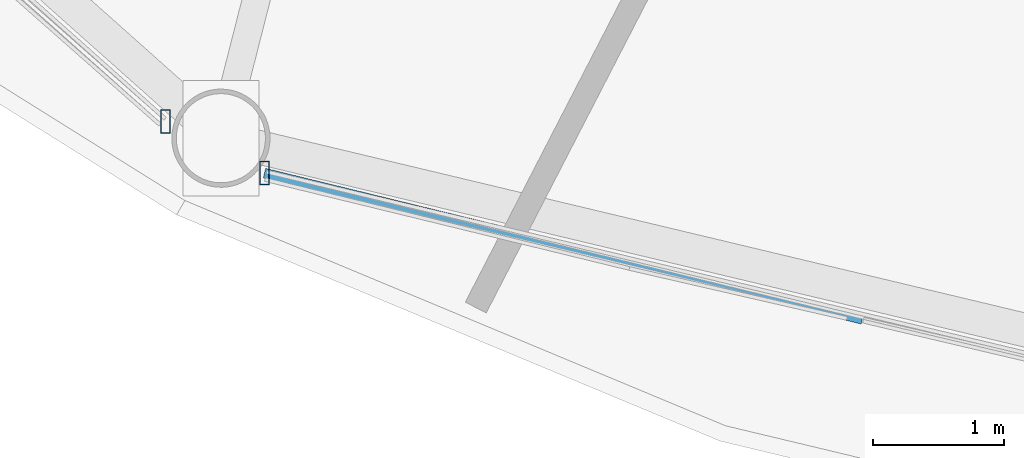
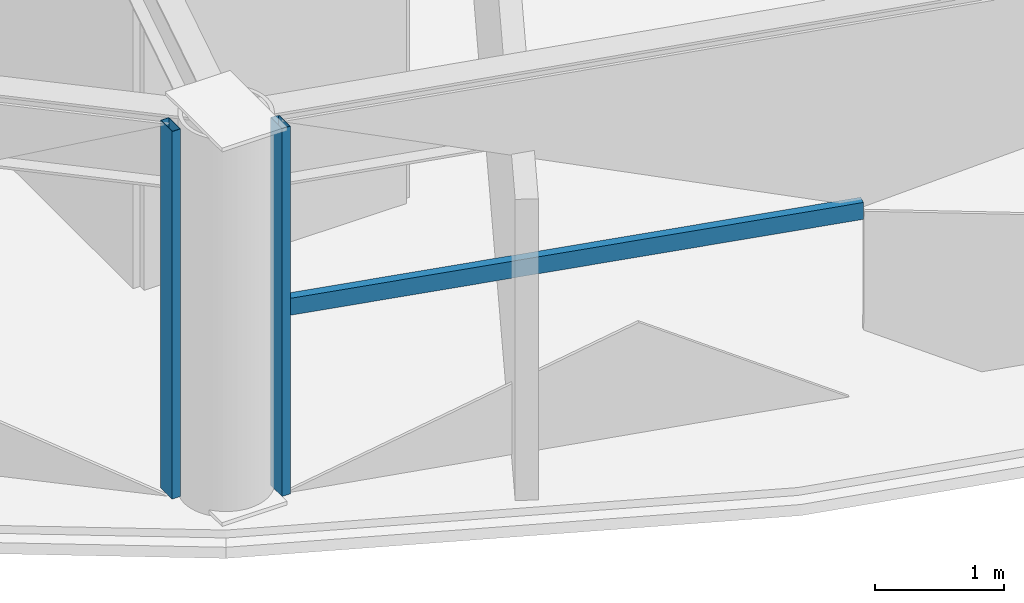
# One storey, part 2 of 32: 3 members, 2 elements without a shape of their own.
"""IFC4 building model written with IfcOpenShell, lengths in metres."""

from ifc_helpers import new_model, si_unit, direction, frame, origin, origin_2d, place, context, subcontext, project, spatial, hollow_rectangle, extrude, material, layer, layer_set, material_profile, profile_set, type_object, element, aggregate, save


model = new_model("IFC4")

# Units and contexts
model_context = context("Model", 3, precision=1e-05, world=origin(), true_north=direction((0.0, 1.0)))
body_context = subcontext(model_context, "Body", "Model", "MODEL_VIEW")
ifc_project = project(units=[si_unit("LENGTHUNIT", "METRE"), si_unit("AREAUNIT", "SQUARE_METRE"), si_unit("VOLUMEUNIT", "CUBIC_METRE"), si_unit("PLANEANGLEUNIT", "RADIAN"), si_unit("MASSUNIT", "GRAM", prefix="KILO")], contexts=[model_context])

# Site, building, storey
site_placement = place(None, origin())
site = spatial("IfcSite", under=ifc_project, at=site_placement, CompositionType="ELEMENT")
building_placement = place(site_placement, origin())
building = spatial("IfcBuilding", under=site, at=building_placement, Name="Vantalir Tower", CompositionType="ELEMENT")
storey_placement = place(building_placement, frame((0.0, 0.0, 100.949951171875)))
storey = spatial("IfcBuildingStorey", under=building, at=storey_placement, Name="L24", CompositionType="ELEMENT", Elevation=100.949951171875)

# Curtain wall, member
ifc_material_1 = material(Name="Champagne-silver PVDF aluminium and double-silver Low-E glass", Category="aluminium")
ifc_layer = layer(ifc_material_1, 0.199951171875)
ifc_layer_set = layer_set([ifc_layer], Name="Champagne-silver PVDF aluminium and double-silver Low-E glass")
curtain_wall_type = type_object("IfcCurtainWallType", Name="CW-DIAMOND-Z2", PredefinedType="USERDEFINED", material=ifc_layer_set)
curtain_wall_1_placement = place(storey_placement, origin())
curtain_wall_1 = element("IfcCurtainWall", 1, at=curtain_wall_1_placement, inside=storey, type_object=curtain_wall_type, Name="L24 Quilted Pyramid-Diamond Curtain Wall S08", ObjectType="UNITISED CURTAIN WALL", PredefinedType="USERDEFINED")
ifc_material_2 = material(Name="Champagne-silver PVDF aluminium 6063-T6", Category="aluminium")
ifc_material_profile_1 = material_profile(ifc_material_2, hollow_rectangle(XDim=0.074951171875, YDim=0.179931640625, WallThickness=0.00390625, at=origin_2d()), Name="Champagne-silver PVDF aluminium 6063-T6")
ifc_profile_set_1 = profile_set([ifc_material_profile_1], Name="Champagne-silver PVDF aluminium 6063-T6")
member_type_1 = type_object("IfcMemberType", Name="CWM-180x75", PredefinedType="MULLION", material=ifc_profile_set_1)
member_1_placement = place(storey_placement, frame((18.282958984375, 5.39306640625, 0.045166015625), z_axis=(0.0, 0.0, 1.0), x_axis=(1.0, 0.0, 0.0)))
member_1 = element("IfcMember", 2, at=member_1_placement, type_object=member_type_1, Name="CW-L24-S08 Mullion 2", PredefinedType="MULLION", context=body_context, shape_type="SweptSolid", body=[
    extrude(hollow_rectangle(XDim=0.074951171875, YDim=0.179931640625, WallThickness=0.00390625, at=origin_2d()), origin(), (0.0, 0.0, 1.0), 3.47998046875),
])
aggregate(curtain_wall_1, [member_1])

# Curtain wall, members
curtain_wall_2_placement = place(storey_placement, origin())
curtain_wall_2 = element("IfcCurtainWall", 3, at=curtain_wall_2_placement, inside=storey, type_object=curtain_wall_type, Name="L24 Quilted Pyramid-Diamond Curtain Wall S09", ObjectType="UNITISED CURTAIN WALL", PredefinedType="USERDEFINED")
member_2_placement = place(storey_placement, frame((19.0390625, 4.998046875, 0.045166015625), z_axis=(0.0, 0.0, 1.0), x_axis=(1.0, 0.0, 0.0)))
member_2 = element("IfcMember", 4, at=member_2_placement, type_object=member_type_1, Name="CW-L24-S09 Mullion 1", PredefinedType="MULLION", context=body_context, shape_type="SweptSolid", body=[
    extrude(hollow_rectangle(XDim=0.074951171875, YDim=0.179931640625, WallThickness=0.00390625, at=origin_2d()), origin(), (0.0, 0.0, 1.0), 3.47998046875),
])
ifc_material_profile_2 = material_profile(ifc_material_2, hollow_rectangle(XDim=0.074951171875, YDim=0.159912109375, WallThickness=0.00390625, at=origin_2d()), Name="Champagne-silver PVDF aluminium 6063-T6")
ifc_profile_set_2 = profile_set([ifc_material_profile_2], Name="Champagne-silver PVDF aluminium 6063-T6")
member_type_2 = type_object("IfcMemberType", Name="CWT-160x75", PredefinedType="USERDEFINED", material=ifc_profile_set_2)
member_3_placement = place(storey_placement, frame((19.0390625, 4.998046875, 1.78515625), z_axis=(0.971430694941, -0.237323418412, 0.0), x_axis=(0.237323418412, 0.971430694941, 0.0)))
member_3 = element("IfcMember", 5, at=member_3_placement, type_object=member_type_2, Name="CW-L24-S09 Pyramid Fold Ridge Transom", ObjectType="TRANSOM", PredefinedType="USERDEFINED", context=body_context, shape_type="SweptSolid", body=[
    extrude(hollow_rectangle(XDim=0.074951171875, YDim=0.159912109375, WallThickness=0.00390625, at=origin_2d()), origin(), (0.0, 0.0, 1.0), 4.6982421875),
])
aggregate(curtain_wall_2, [member_2, member_3])

save(model, "model.ifc")
